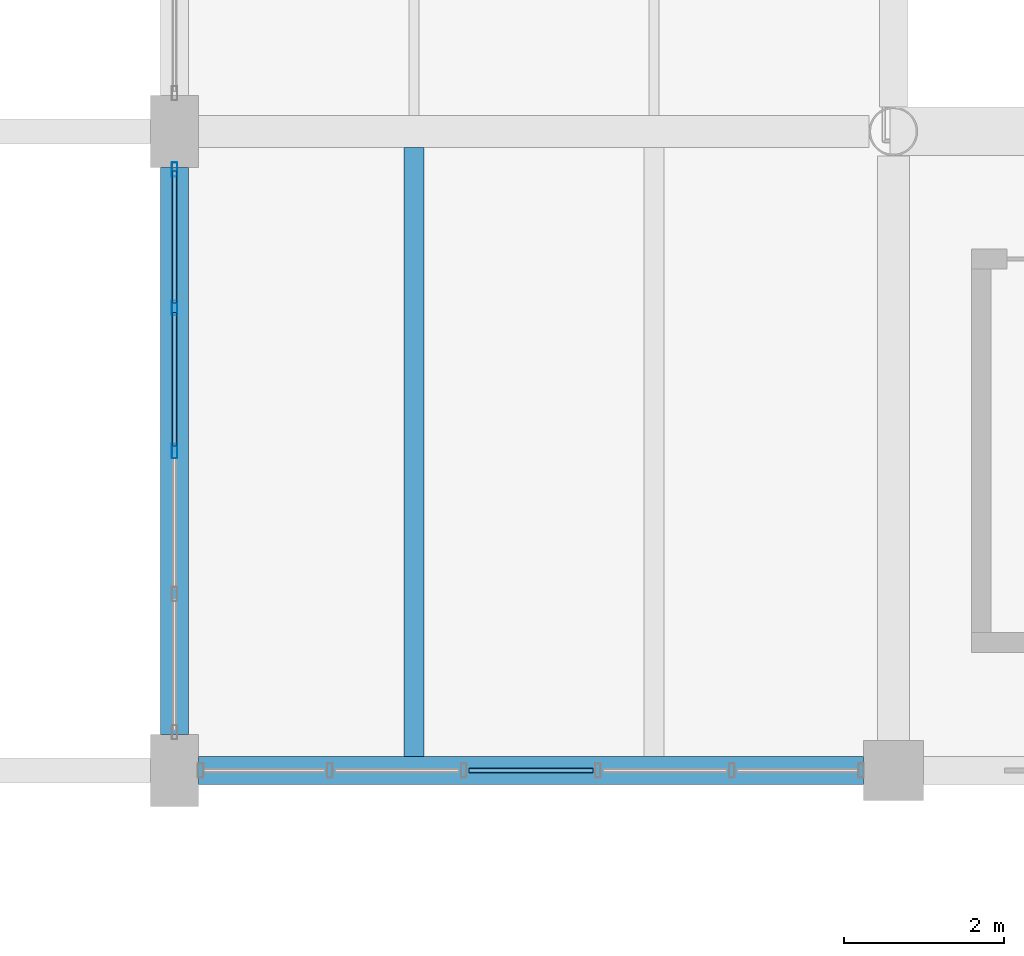
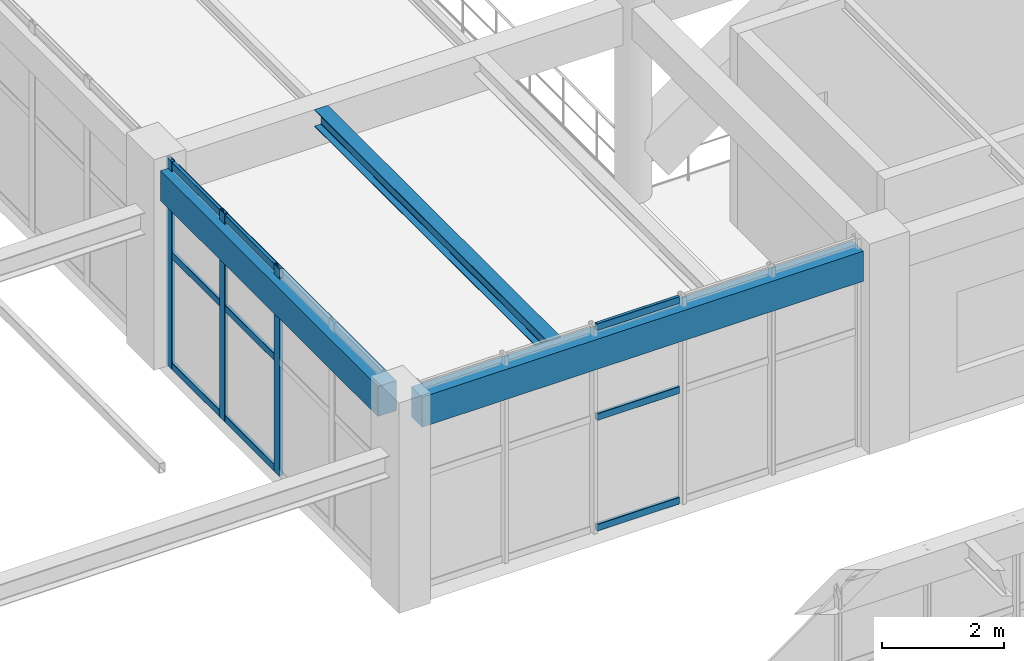
# One storey, part 22 of 148: 12 members, 3 beams, 2 elements without a shape of their own.
"""IFC4 building model written with IfcOpenShell, lengths in metres."""

from ifc_helpers import new_model, si_unit, derived_unit, direction, frame, origin, origin_2d, place, context, subcontext, project, spatial, rectangle, hollow_rectangle, i_section, extrude, material, material_profile, profile_set, type_object, element, aggregate, save


model = new_model("IFC4")

# Units and contexts
model_context = context("Model", 3, precision=1e-05, world=origin(), true_north=direction((0.0, 1.0)))
body_context = subcontext(model_context, "Body", "Model", "MODEL_VIEW")
ifc_project = project(units=[si_unit("LENGTHUNIT", "METRE"), si_unit("AREAUNIT", "SQUARE_METRE"), si_unit("VOLUMEUNIT", "CUBIC_METRE"), si_unit("PLANEANGLEUNIT", "RADIAN"), si_unit("MASSUNIT", "GRAM", prefix="KILO"), derived_unit("THERMALTRANSMITTANCEUNIT", [(si_unit("MASSUNIT", "GRAM", prefix="KILO"), 1), (si_unit("TIMEUNIT", "SECOND"), -3), (si_unit("THERMODYNAMICTEMPERATUREUNIT", "KELVIN"), -1)])], contexts=[model_context])

# Site, building, storey
site_placement = place(None, origin())
site = spatial("IfcSite", under=ifc_project, at=site_placement, CompositionType="ELEMENT")
building_placement = place(site_placement, origin())
building = spatial("IfcBuilding", under=site, at=building_placement, Name="Zhenchuan Archway Interchange", CompositionType="ELEMENT")
storey_placement = place(building_placement, frame((0.0, 0.0, 10.199951171875)))
storey = spatial("IfcBuildingStorey", under=building, at=storey_placement, Name="L02", CompositionType="ELEMENT", Elevation=10.199951171875)

# Curtain wall, members
ifc_material_1 = material(Name="Anodised Aluminium", Category="aluminium")
curtain_wall_type_1 = type_object("IfcCurtainWallType", Name="CW_UNIT_3", PredefinedType="NOTDEFINED", material=ifc_material_1)
curtain_wall_1_placement = place(storey_placement, origin())
curtain_wall_1 = element("IfcCurtainWall", 1, at=curtain_wall_1_placement, inside=storey, type_object=curtain_wall_type_1, Name="Unitised curtain wall CW:L02:126", PredefinedType="NOTDEFINED")
ifc_material_profile_1 = material_profile(ifc_material_1, hollow_rectangle(XDim=0.070068359375, YDim=0.179931640625, WallThickness=0.00390625, InnerFilletRadius=0.00390625, OuterFilletRadius=0.008056640625, at=origin_2d()), Name="ALU 180x70x4")
ifc_profile_set_1 = profile_set([ifc_material_profile_1], Name="Anodised Aluminium")
member_type_1 = type_object("IfcMemberType", Name="CW_MUL_180", PredefinedType="MULLION", material=ifc_profile_set_1)
member_1_placement = place(storey_placement, frame((27.0, 28.0, 0.0), z_axis=(0.0, 0.0, 1.0), x_axis=(1.0, 0.0, 0.0)))
member_1 = element("IfcMember", 2, at=member_1_placement, type_object=member_type_1, Name="CW:L02:126 mullion 2", PredefinedType="MULLION", context=body_context, shape_type="SweptSolid", body=[
    extrude(hollow_rectangle(XDim=0.070068359375, YDim=0.179931640625, WallThickness=0.00390625, InnerFilletRadius=0.00390625, OuterFilletRadius=0.008056640625, at=origin_2d()), origin(), (0.0, 0.0, 1.0), 4.14013671875),
])
member_2_placement = place(storey_placement, frame((27.0, 29.791015625, 0.0), z_axis=(0.0, 0.0, 1.0), x_axis=(1.0, 0.0, 0.0)))
member_2 = element("IfcMember", 3, at=member_2_placement, type_object=member_type_1, Name="CW:L02:126 mullion 3", PredefinedType="MULLION", context=body_context, shape_type="SweptSolid", body=[
    extrude(hollow_rectangle(XDim=0.070068359375, YDim=0.179931640625, WallThickness=0.00390625, InnerFilletRadius=0.00390625, OuterFilletRadius=0.008056640625, at=origin_2d()), origin(), (0.0, 0.0, 1.0), 4.14013671875),
])
member_3_placement = place(storey_placement, frame((27.0, 31.52197265625, 0.0), z_axis=(0.0, 0.0, 1.0), x_axis=(1.0, 0.0, 0.0)))
member_3 = element("IfcMember", 4, at=member_3_placement, type_object=member_type_1, Name="CW:L02:126 mullion 4", PredefinedType="MULLION", context=body_context, shape_type="SweptSolid", body=[
    extrude(hollow_rectangle(XDim=0.070068359375, YDim=0.179931640625, WallThickness=0.00390625, InnerFilletRadius=0.00390625, OuterFilletRadius=0.008056640625, at=origin_2d()), origin(), (0.0, 0.0, 1.0), 4.14013671875),
])

curtain_wall_type_2 = type_object("IfcCurtainWallType", Name="CW_UNIT_2", PredefinedType="NOTDEFINED", material=ifc_material_1)
curtain_wall_2_placement = place(storey_placement, origin())
curtain_wall_2 = element("IfcCurtainWall", 5, at=curtain_wall_2_placement, inside=storey, type_object=curtain_wall_type_2, Name="Unitised curtain wall CW:L02:125", PredefinedType="NOTDEFINED")
ifc_material_profile_2 = material_profile(ifc_material_1, hollow_rectangle(XDim=0.06005859375, YDim=0.139892578125, WallThickness=0.00341796875, InnerFilletRadius=0.00341796875, OuterFilletRadius=0.007080078125, at=origin_2d()), Name="ALU 140x60x3.5")
ifc_profile_set_2 = profile_set([ifc_material_profile_2], Name="Anodised Aluminium")
member_type_2 = type_object("IfcMemberType", Name="CW_TRN_140", PredefinedType="USERDEFINED", material=ifc_profile_set_2)
member_4_placement = place(storey_placement, frame((32.241455078125, 24.0, 0.06005859375), z_axis=(-1.0, 0.0, 0.0), x_axis=(0.0, -1.0, 0.0)))
member_4 = element("IfcMember", 6, at=member_4_placement, type_object=member_type_2, Name="CW:L02:125 transom 2-1", ObjectType="TRANSOM", PredefinedType="USERDEFINED", context=body_context, shape_type="SweptSolid", body=[
    extrude(hollow_rectangle(XDim=0.06005859375, YDim=0.139892578125, WallThickness=0.00341796875, InnerFilletRadius=0.00341796875, OuterFilletRadius=0.007080078125, at=origin_2d()), origin(), (0.0, 0.0, 1.0), 1.557861328125),
])
member_5_placement = place(storey_placement, frame((32.241455078125, 24.0, 2.26611328125), z_axis=(-1.0, 0.0, 0.0), x_axis=(0.0, -1.0, 0.0)))
member_5 = element("IfcMember", 7, at=member_5_placement, type_object=member_type_2, Name="CW:L02:125 transom 2-2", ObjectType="TRANSOM", PredefinedType="USERDEFINED", context=body_context, shape_type="SweptSolid", body=[
    extrude(hollow_rectangle(XDim=0.06005859375, YDim=0.139892578125, WallThickness=0.00341796875, InnerFilletRadius=0.00341796875, OuterFilletRadius=0.007080078125, at=origin_2d()), origin(), (0.0, 0.0, 1.0), 1.557861328125),
])
member_6_placement = place(storey_placement, frame((32.241455078125, 24.0, 4.06005859375), z_axis=(-1.0, 0.0, 0.0), x_axis=(0.0, -1.0, 0.0)))
member_6 = element("IfcMember", 8, at=member_6_placement, type_object=member_type_2, Name="CW:L02:125 transom 2-3", ObjectType="TRANSOM", PredefinedType="USERDEFINED", context=body_context, shape_type="SweptSolid", body=[
    extrude(hollow_rectangle(XDim=0.06005859375, YDim=0.139892578125, WallThickness=0.00341796875, InnerFilletRadius=0.00341796875, OuterFilletRadius=0.007080078125, at=origin_2d()), origin(), (0.0, 0.0, 1.0), 1.557861328125),
])
aggregate(curtain_wall_2, [member_4, member_5, member_6])

# Member
member_7_placement = place(storey_placement, frame((27.0, 28.06005859375, 0.06005859375), z_axis=(0.0, 1.0, 0.0), x_axis=(-1.0, 0.0, 0.0)))
member_7 = element("IfcMember", 9, at=member_7_placement, type_object=member_type_2, Name="CW:L02:126 transom 2-1", ObjectType="TRANSOM", PredefinedType="USERDEFINED", context=body_context, shape_type="SweptSolid", body=[
    extrude(hollow_rectangle(XDim=0.06005859375, YDim=0.139892578125, WallThickness=0.00341796875, InnerFilletRadius=0.00341796875, OuterFilletRadius=0.007080078125, at=origin_2d()), origin(), (0.0, 0.0, 1.0), 1.6708984375),
])

member_8_placement = place(storey_placement, frame((27.0, 28.06005859375, 2.26611328125), z_axis=(0.0, 1.0, 0.0), x_axis=(-1.0, 0.0, 0.0)))
member_8 = element("IfcMember", 10, at=member_8_placement, type_object=member_type_2, Name="CW:L02:126 transom 2-2", ObjectType="TRANSOM", PredefinedType="USERDEFINED", context=body_context, shape_type="SweptSolid", body=[
    extrude(hollow_rectangle(XDim=0.06005859375, YDim=0.139892578125, WallThickness=0.00341796875, InnerFilletRadius=0.00341796875, OuterFilletRadius=0.007080078125, at=origin_2d()), origin(), (0.0, 0.0, 1.0), 1.6708984375),
])

member_9_placement = place(storey_placement, frame((27.0, 28.06005859375, 4.06005859375), z_axis=(0.0, 1.0, 0.0), x_axis=(-1.0, 0.0, 0.0)))
member_9 = element("IfcMember", 11, at=member_9_placement, type_object=member_type_2, Name="CW:L02:126 transom 2-3", ObjectType="TRANSOM", PredefinedType="USERDEFINED", context=body_context, shape_type="SweptSolid", body=[
    extrude(hollow_rectangle(XDim=0.06005859375, YDim=0.139892578125, WallThickness=0.00341796875, InnerFilletRadius=0.00341796875, OuterFilletRadius=0.007080078125, at=origin_2d()), origin(), (0.0, 0.0, 1.0), 1.6708984375),
])

member_10_placement = place(storey_placement, frame((27.0, 29.85107421875, 0.06005859375), z_axis=(0.0, 1.0, 0.0), x_axis=(-1.0, 0.0, 0.0)))
member_10 = element("IfcMember", 12, at=member_10_placement, type_object=member_type_2, Name="CW:L02:126 transom 3-1", ObjectType="TRANSOM", PredefinedType="USERDEFINED", context=body_context, shape_type="SweptSolid", body=[
    extrude(hollow_rectangle(XDim=0.06005859375, YDim=0.139892578125, WallThickness=0.00341796875, InnerFilletRadius=0.00341796875, OuterFilletRadius=0.007080078125, at=origin_2d()), origin(), (0.0, 0.0, 1.0), 1.65087890625),
])

member_11_placement = place(storey_placement, frame((27.0, 29.85107421875, 2.26611328125), z_axis=(0.0, 1.0, 0.0), x_axis=(-1.0, 0.0, 0.0)))
member_11 = element("IfcMember", 13, at=member_11_placement, type_object=member_type_2, Name="CW:L02:126 transom 3-2", ObjectType="TRANSOM", PredefinedType="USERDEFINED", context=body_context, shape_type="SweptSolid", body=[
    extrude(hollow_rectangle(XDim=0.06005859375, YDim=0.139892578125, WallThickness=0.00341796875, InnerFilletRadius=0.00341796875, OuterFilletRadius=0.007080078125, at=origin_2d()), origin(), (0.0, 0.0, 1.0), 1.65087890625),
])

member_12_placement = place(storey_placement, frame((27.0, 29.85107421875, 4.06005859375), z_axis=(0.0, 1.0, 0.0), x_axis=(-1.0, 0.0, 0.0)))
member_12 = element("IfcMember", 14, at=member_12_placement, type_object=member_type_2, Name="CW:L02:126 transom 3-3", ObjectType="TRANSOM", PredefinedType="USERDEFINED", context=body_context, shape_type="SweptSolid", body=[
    extrude(hollow_rectangle(XDim=0.06005859375, YDim=0.139892578125, WallThickness=0.00341796875, InnerFilletRadius=0.00341796875, OuterFilletRadius=0.007080078125, at=origin_2d()), origin(), (0.0, 0.0, 1.0), 1.65087890625),
])

aggregate(curtain_wall_1, [member_1, member_2, member_3, member_7, member_8, member_9, member_10, member_11, member_12])

# Beams
ifc_material_2 = material(Name="Steel Q355", Category="steel")
ifc_material_profile_3 = material_profile(ifc_material_2, i_section(OverallWidth=0.25, OverallDepth=0.340087890625, WebThickness=0.009033203125, FlangeThickness=0.013916015625, FilletRadius=0.01806640625, at=origin_2d()), Name="HM 340x250")
ifc_profile_set_3 = profile_set([ifc_material_profile_3], Name="Steel Q355")
beam_type_1 = type_object("IfcBeamType", Name="JST_STL_HM340", PredefinedType="JOIST", material=ifc_profile_set_3)
beam_1_placement = place(storey_placement, frame((30.0, 24.175048828125, 3.77001953125), z_axis=(0.0, 1.0, 0.0), x_axis=(-1.0, 0.0, 0.0)))
element("IfcBeam", 15, at=beam_1_placement, inside=storey, type_object=beam_type_1, Name="Secondary joist 4-5/D-E #1 (L02)", PredefinedType="JOIST", context=body_context, shape_type="SweptSolid", body=[
    extrude(i_section(OverallWidth=0.25, OverallDepth=0.340087890625, WebThickness=0.009033203125, FlangeThickness=0.013916015625, FilletRadius=0.01806640625, at=origin_2d()), origin(), (0.0, 0.0, 1.0), 7.625),
])
ifc_material_3 = material(Name="Concrete C40", Category="concrete")
ifc_material_profile_4 = material_profile(ifc_material_3, rectangle(XDim=0.35009765625, YDim=0.60009765625, at=origin_2d()), Name="RC 350x600")
ifc_profile_set_4 = profile_set([ifc_material_profile_4], Name="Concrete C40")
beam_type_2 = type_object("IfcBeamType", Name="SP_RC_350x600", PredefinedType="SPANDREL", material=ifc_profile_set_4)
beam_2_placement = place(storey_placement, frame((27.300048828125, 24.0, 3.64013671875), z_axis=(1.0, 0.0, 0.0), x_axis=(0.0, 1.0, 0.0)))
element("IfcBeam", 16, at=beam_2_placement, inside=storey, type_object=beam_type_2, Name="Beam D:4-5 (L02)", PredefinedType="SPANDREL", context=body_context, shape_type="SweptSolid", body=[
    extrude(rectangle(XDim=0.35009765625, YDim=0.60009765625, at=origin_2d()), origin(), (0.0, 0.0, 1.0), 8.324951171875),
])
beam_3_placement = place(storey_placement, frame((27.0, 24.449951171875, 3.64013671875), z_axis=(0.0, 1.0, 0.0), x_axis=(-1.0, 0.0, 0.0)))
element("IfcBeam", 17, at=beam_3_placement, inside=storey, type_object=beam_type_2, Name="Beam 4:D-E (L02)", PredefinedType="SPANDREL", context=body_context, shape_type="SweptSolid", body=[
    extrude(rectangle(XDim=0.35009765625, YDim=0.60009765625, at=origin_2d()), origin(), (0.0, 0.0, 1.0), 7.10009765625),
])

save(model, "model.ifc")
